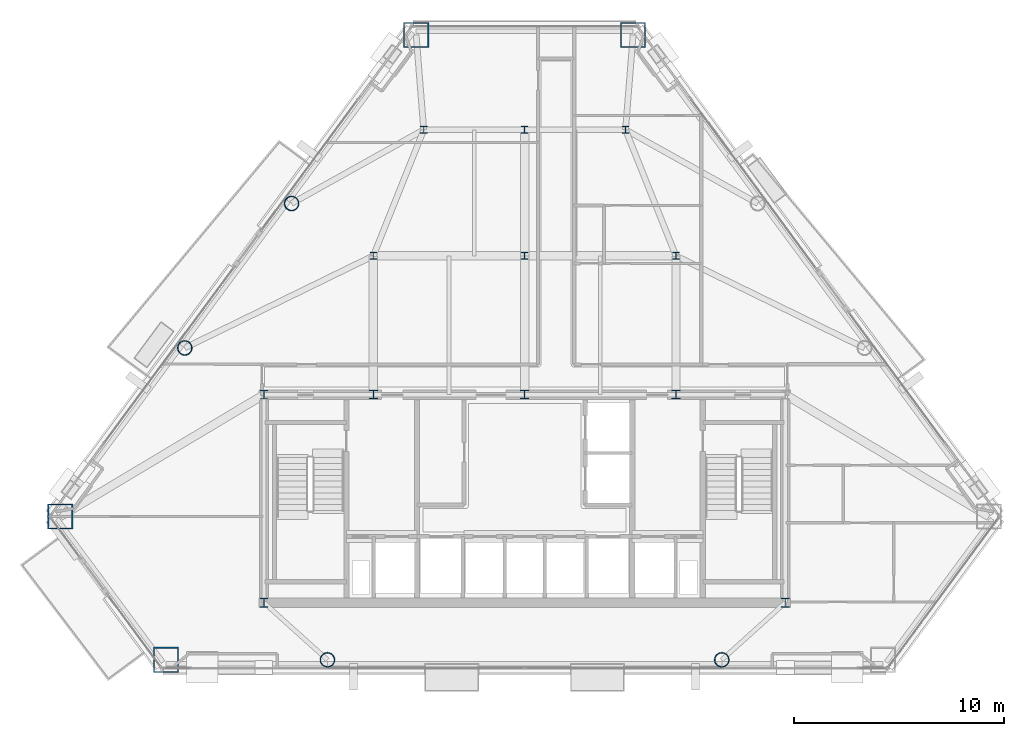
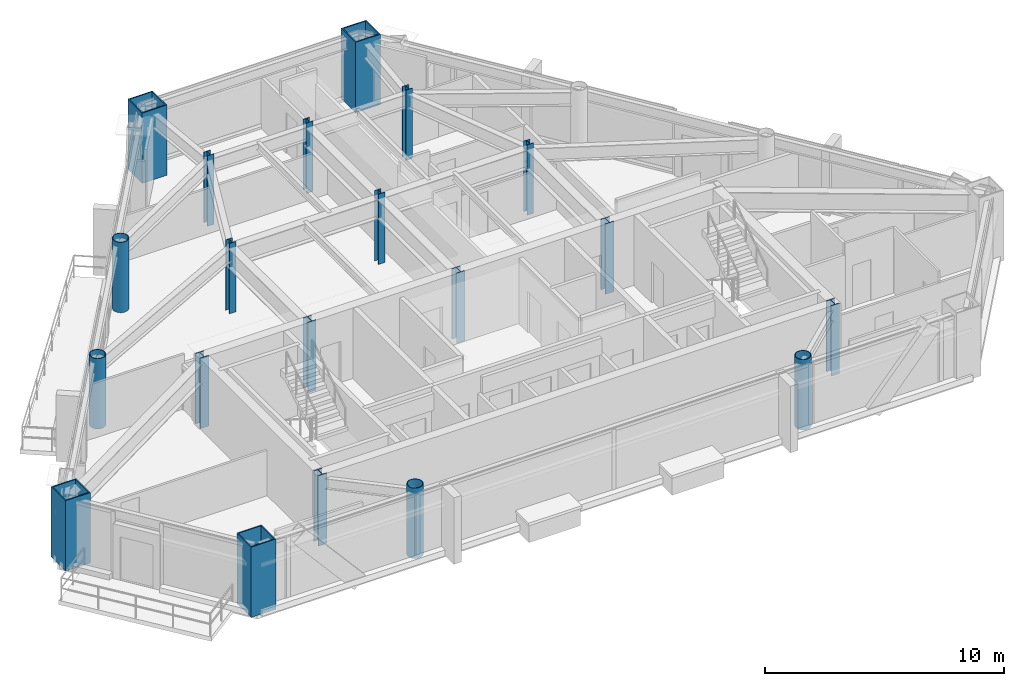
# One storey, part 1 of 11: 20 columns.
"""IFC4 building model written with IfcOpenShell, lengths in metres."""

from ifc_helpers import new_model, si_unit, direction, frame, origin, origin_2d, place, context, subcontext, project, spatial, hollow_rectangle, hollow_circle, i_section, extrude, material, material_profile, profile_set, type_object, element, save


model = new_model("IFC4")

# Units and contexts
model_context = context("Model", 3, precision=1e-05, world=origin(), true_north=direction((0.0, 1.0)))
body_context = subcontext(model_context, "Body", "Model", "MODEL_VIEW")
ifc_project = project(units=[si_unit("LENGTHUNIT", "METRE"), si_unit("AREAUNIT", "SQUARE_METRE"), si_unit("VOLUMEUNIT", "CUBIC_METRE"), si_unit("PLANEANGLEUNIT", "RADIAN"), si_unit("MASSUNIT", "GRAM", prefix="KILO")], contexts=[model_context])

# Site, building, storey
site_placement = place(None, origin())
site = spatial("IfcSite", under=ifc_project, at=site_placement, CompositionType="ELEMENT")
building_placement = place(site_placement, origin())
building = spatial("IfcBuilding", under=site, at=building_placement, Name="Talgorran Terracotta Tower", CompositionType="ELEMENT")
storey_placement = place(building_placement, frame((0.0, 0.0, 129.300048828125)))
storey = spatial("IfcBuildingStorey", under=building, at=storey_placement, Name="L33", CompositionType="ELEMENT", Elevation=129.300048828125)

# Columns
ifc_material_1 = material(Name="Steel S355 (300PLUS)", Category="steel")
ifc_material_profile_1 = material_profile(ifc_material_1, i_section(OverallWidth=0.311279296875, OverallDepth=0.3271484375, WebThickness=0.015625, FlangeThickness=0.02490234375, at=origin_2d()), Name="310UC158")
ifc_profile_set_1 = profile_set([ifc_material_profile_1], Name="Steel S355 (300PLUS)")
column_type_1 = type_object("IfcColumnType", Name="COL_310UC158", PredefinedType="COLUMN", material=ifc_profile_set_1)
for number, where, z_axis, x_axis, name in (
    (1, (-7.199951171875, 2.39990234375, 0.0), (0.0, 0.0, 1.0), (1.0, 0.0, 0.0), "L33 Interior Gravity Column IC1"),
    (2, (0.0, 2.39990234375, 0.0), (0.0, 0.0, 1.0), (1.0, 0.0, 0.0), "L33 Interior Gravity Column IC2"),
    (3, (7.199951171875, 2.39990234375, 0.0), (0.0, 0.0, 1.0), (1.0, 0.0, 0.0), "L33 Interior Gravity Column IC3"),
    (4, (-4.800048828125, 8.39990234375, 0.0), (0.0, 0.0, 1.0), (1.0, 0.0, 0.0), "L33 Interior Gravity Column IC4"),
    (5, (0.0, 8.39990234375, 0.0), (0.0, 0.0, 1.0), (1.0, 0.0, 0.0), "L33 Interior Gravity Column IC5"),
    (6, (4.800048828125, 8.39990234375, 0.0), (0.0, 0.0, 1.0), (1.0, 0.0, 0.0), "L33 Interior Gravity Column IC6"),
):
    element("IfcColumn", number, at=place(storey_placement, frame(where, z_axis=z_axis, x_axis=x_axis)), inside=storey, type_object=column_type_1, Name=name, PredefinedType="COLUMN", context=body_context, shape_type="SweptSolid", body=[
        extrude(i_section(OverallWidth=0.311279296875, OverallDepth=0.3271484375, WebThickness=0.015625, FlangeThickness=0.02490234375, at=origin_2d()), origin(), (0.0, 0.0, 1.0), 3.599853515625),
    ])
ifc_material_profile_2 = material_profile(ifc_material_1, i_section(OverallWidth=0.39990234375, OverallDepth=0.43994140625, WebThickness=0.028076171875, FlangeThickness=0.0400390625, at=origin_2d()), Name="400WC328")
ifc_profile_set_2 = profile_set([ifc_material_profile_2], Name="Steel S355 (300PLUS)")
column_type_2 = type_object("IfcColumnType", Name="COL_400WC328", PredefinedType="COLUMN", material=ifc_profile_set_2)
for number, where, z_axis, x_axis, name in (
    (7, (-12.39990234375, -14.10009765625, 0.0), (0.0, 0.0, 1.0), (1.0, 0.0, 0.0), "L33 Core Boundary Column CC1"),
    (8, (12.39990234375, -14.10009765625, 0.0), (0.0, 0.0, 1.0), (1.0, 0.0, 0.0), "L33 Core Boundary Column CC2"),
    (9, (-12.39990234375, -4.199951171875, 0.0), (0.0, 0.0, 1.0), (1.0, 0.0, 0.0), "L33 Core Boundary Column CC4"),
):
    element("IfcColumn", number, at=place(storey_placement, frame(where, z_axis=z_axis, x_axis=x_axis)), inside=storey, type_object=column_type_2, Name=name, PredefinedType="COLUMN", context=body_context, shape_type="SweptSolid", body=[
        extrude(i_section(OverallWidth=0.39990234375, OverallDepth=0.43994140625, WebThickness=0.028076171875, FlangeThickness=0.0400390625, at=origin_2d()), origin(), (0.0, 0.0, 1.0), 3.599853515625),
    ])
ifc_material_2 = material(Name="Steel Grade 350 (350L0)", Category="steel")
ifc_material_profile_3 = material_profile(ifc_material_2, hollow_rectangle(XDim=1.199951171875, YDim=1.199951171875, WallThickness=0.054931640625, at=origin_2d()), Name="CFT1200X1200X55")
ifc_profile_set_3 = profile_set([ifc_material_profile_3], Name="Steel Grade 350 (350L0)")
column_type_3 = type_object("IfcColumnType", Name="COL_CFT_1200", PredefinedType="COLUMN", material=ifc_profile_set_3)
for number, where, z_axis, x_axis, name in (
    (10, (-22.09619140625, -10.000244140625, 0.0), (0.0, 0.0, 1.0), (1.0, 0.0, 0.0), "L33 Corner CFT Mega-Column MC1"),
    (11, (-17.056884765625, -16.81884765625, 0.0), (0.0, 0.0, 1.0), (1.0, 0.0, 0.0), "L33 Corner CFT Mega-Column MC2"),
    (12, (5.16162109375, 12.91357421875, 0.0), (0.0, 0.0, 1.0), (1.0, 0.0, 0.0), "L33 Corner CFT Mega-Column MC5"),
    (13, (-5.16162109375, 12.91357421875, 0.0), (0.0, 0.0, 1.0), (1.0, 0.0, 0.0), "L33 Corner CFT Mega-Column MC6"),
):
    element("IfcColumn", number, at=place(storey_placement, frame(where, z_axis=z_axis, x_axis=x_axis)), inside=storey, type_object=column_type_3, Name=name, PredefinedType="COLUMN", context=body_context, shape_type="SweptSolid", body=[
        extrude(hollow_rectangle(XDim=1.199951171875, YDim=1.199951171875, WallThickness=0.054931640625, at=origin_2d()), origin(), (0.0, 0.0, 1.0), 3.599853515625),
    ])
ifc_material_profile_4 = material_profile(ifc_material_2, hollow_circle(Radius=0.35009765625, WallThickness=0.030029296875, at=origin_2d()), Name="CHS700X30")
ifc_profile_set_4 = profile_set([ifc_material_profile_4], Name="Steel Grade 350 (350L0)")
column_type_4 = type_object("IfcColumnType", Name="COL_CHS_700", PredefinedType="COLUMN", material=ifc_profile_set_4)
for number, where, z_axis, x_axis, name in (
    (14, (-9.381103515625, -16.81884765625, 0.0), (0.0, 0.0, 1.0), (1.0, 0.0, 0.0), "L33 Facet Perimeter Column FC1"),
    (15, (9.381103515625, -16.81884765625, 0.0), (0.0, 0.0, 1.0), (1.0, 0.0, 0.0), "L33 Facet Perimeter Column FC2"),
    (16, (-11.088623046875, 4.893798828125, 0.0), (0.0, 0.0, 1.0), (1.0, 0.0, 0.0), "L33 Facet Perimeter Column FC5"),
    (17, (-16.169189453125, -1.98046875, 0.0), (0.0, 0.0, 1.0), (1.0, 0.0, 0.0), "L33 Facet Perimeter Column FC6"),
):
    element("IfcColumn", number, at=place(storey_placement, frame(where, z_axis=z_axis, x_axis=x_axis)), inside=storey, type_object=column_type_4, Name=name, PredefinedType="COLUMN", context=body_context, shape_type="SweptSolid", body=[
        extrude(hollow_circle(Radius=0.35009765625, WallThickness=0.030029296875, at=origin_2d()), origin(), (0.0, 0.0, 1.0), 3.599853515625),
    ])
ifc_material_profile_5 = material_profile(ifc_material_1, i_section(OverallWidth=0.405029296875, OverallDepth=0.4140625, WebThickness=0.02197265625, FlangeThickness=0.031982421875, at=origin_2d()), Name="400WC270")
ifc_profile_set_5 = profile_set([ifc_material_profile_5], Name="Steel S355 (300PLUS)")
column_type_5 = type_object("IfcColumnType", Name="COL_PIL_400WC270", PredefinedType="PILASTER", material=ifc_profile_set_5)
for number, where, z_axis, x_axis, name in (
    (18, (-7.199951171875, -4.199951171875, 0.0), (0.0, 0.0, 1.0), (1.0, 0.0, 0.0), "L33 Core Shear Pilaster CP1"),
    (19, (0.0, -4.199951171875, 0.0), (0.0, 0.0, 1.0), (1.0, 0.0, 0.0), "L33 Core Shear Pilaster CP2"),
    (20, (7.199951171875, -4.199951171875, 0.0), (0.0, 0.0, 1.0), (1.0, 0.0, 0.0), "L33 Core Shear Pilaster CP3"),
):
    element("IfcColumn", number, at=place(storey_placement, frame(where, z_axis=z_axis, x_axis=x_axis)), inside=storey, type_object=column_type_5, Name=name, PredefinedType="PILASTER", context=body_context, shape_type="SweptSolid", body=[
        extrude(i_section(OverallWidth=0.405029296875, OverallDepth=0.4140625, WebThickness=0.02197265625, FlangeThickness=0.031982421875, at=origin_2d()), origin(), (0.0, 0.0, 1.0), 3.599853515625),
    ])

save(model, "model.ifc")
